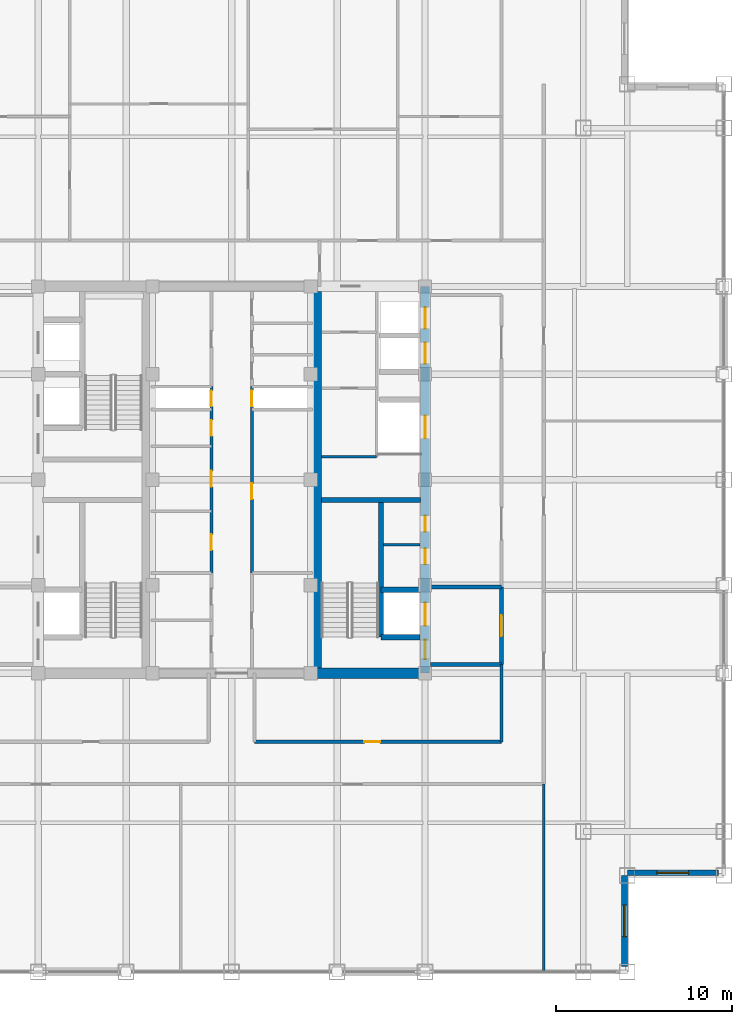
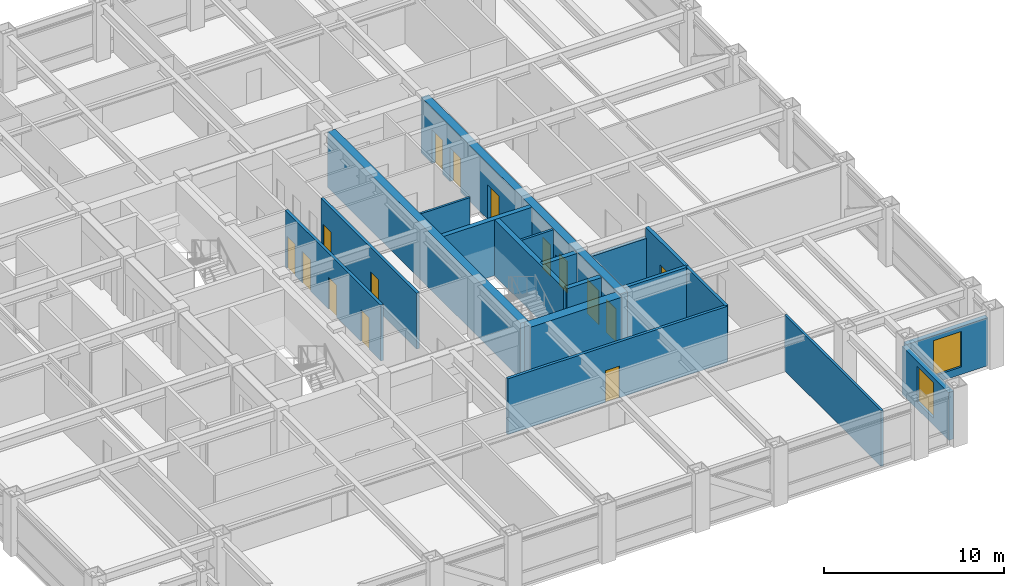
# One storey, part 19 of 22: 19 walls, 15 doors, 2 windows, 17 openings.
"""IFC4 building model written with IfcOpenShell, lengths in metres."""

from ifc_helpers import new_model, si_unit, direction, frame, frame_2d, origin, place, context, subcontext, project, spatial, rectangle, extrude, source, transform, mapped, material, layer, layer_set, type_object, element, fill, save


model = new_model("IFC4")

# Units and contexts
model_context = context("Model", 3, precision=1e-05, world=origin(), true_north=direction((0.0, 1.0)))
body_context = subcontext(model_context, "Body", "Model", "MODEL_VIEW")
ifc_project = project(units=[si_unit("LENGTHUNIT", "METRE"), si_unit("AREAUNIT", "SQUARE_METRE"), si_unit("VOLUMEUNIT", "CUBIC_METRE"), si_unit("PLANEANGLEUNIT", "RADIAN"), si_unit("MASSUNIT", "GRAM", prefix="KILO")], contexts=[model_context])

# Site, building, storey
site_placement = place(None, origin())
site = spatial("IfcSite", under=ifc_project, at=site_placement, CompositionType="ELEMENT")
building_placement = place(site_placement, origin())
building = spatial("IfcBuilding", under=site, at=building_placement, Name="Khorayat Bourse Tower", CompositionType="ELEMENT")
storey_placement = place(building_placement, frame((0.0, 0.0, 301.5)))
storey = spatial("IfcBuildingStorey", under=building, at=storey_placement, Name="L71", CompositionType="ELEMENT", Elevation=301.5)

# Wall, openings, doors
ifc_material_1 = material(Name="Concrete C52/65", Category="concrete")
ifc_layer_1 = layer(ifc_material_1, 0.5)
ifc_layer_set_1 = layer_set([ifc_layer_1], Name="Concrete C52/65")
wall_type_1 = type_object("IfcWallType", Name="WAL-CORE-500", PredefinedType="SHEAR", material=ifc_layer_set_1)
shared_shape_1 = source(origin(), body_context, "Body", "SweptSolid", [
    extrude(rectangle(XDim=22.0, YDim=0.5, at=frame_2d((11.0, 0.0))), origin(), (0.0, 0.0, 1.0), 3.780029296875),
])
wall_1_placement = place(storey_placement, frame((11.0, -11.0, 0.0), z_axis=(0.0, 0.0, 1.0), x_axis=(0.0, 1.0, 0.0)))
wall_1 = element("IfcWall", 1, at=wall_1_placement, inside=storey, type_object=wall_type_1, Name="L71 Core Shear Wall CORE-E", PredefinedType="SHEAR", context=body_context, shape_type="MappedRepresentation", body=[
    mapped(shared_shape_1, transform((0.0, 0.0, 0.0), scale=1.0)),
])
shared_shape_2 = source(origin(), body_context, "Body", "SweptSolid", [
    extrude(rectangle(XDim=1.10009765625, YDim=2.199951171875, at=frame_2d((0.550048828125, 1.10009765625))), frame((0.0, 0.260009765625, 0.0), z_axis=(0.0, -1.0, 0.0), x_axis=(1.0, 0.0, 0.0)), (0.0, 0.0, 1.0), 0.52001953125),
])
opening_1_placement = place(wall_1_placement, frame((0.800048828125, 0.0, 0.0)))
opening_1 = element("IfcOpeningElement", 2, at=opening_1_placement, cuts=wall_1, Name="Opening DI-01", PredefinedType="OPENING", context=body_context, shape_type="MappedRepresentation", body=[
    mapped(shared_shape_2, transform((0.0, 0.0, 0.0), scale=1.0)),
])
shared_shape_3 = source(origin(), body_context, "Body", "SweptSolid", [
    extrude(rectangle(XDim=0.89990234375, YDim=2.14990234375, at=frame_2d((0.449951171875, 1.074951171875))), frame((0.0, 0.260009765625, 0.0), z_axis=(0.0, -1.0, 0.0), x_axis=(1.0, 0.0, 0.0)), (0.0, 0.0, 1.0), 0.52001953125),
])
opening_2_placement = place(wall_1_placement, frame((6.199951171875, 0.0, 0.0)))
opening_2 = element("IfcOpeningElement", 3, at=opening_2_placement, cuts=wall_1, Name="Opening DI-06", PredefinedType="OPENING", context=body_context, shape_type="MappedRepresentation", body=[
    mapped(shared_shape_3, transform((0.0, 0.0, 0.0), scale=1.0)),
])
opening_3_placement = place(wall_1_placement, frame((8.050048828125, 0.0, 0.0)))
opening_3 = element("IfcOpeningElement", 4, at=opening_3_placement, cuts=wall_1, Name="Opening DI-06", PredefinedType="OPENING", context=body_context, shape_type="MappedRepresentation", body=[
    mapped(shared_shape_3, transform((0.0, 0.0, 0.0), scale=1.0)),
])
shared_shape_4 = source(origin(), body_context, "Body", "SweptSolid", [
    extrude(rectangle(XDim=1.199951171875, YDim=2.300048828125, at=frame_2d((0.60009765625, 1.14990234375))), frame((0.0, 0.260009765625, 0.0), z_axis=(0.0, -1.0, 0.0), x_axis=(1.0, 0.0, 0.0)), (0.0, 0.0, 1.0), 0.52001953125),
])
opening_4_placement = place(wall_1_placement, frame((17.60009765625, 0.0, 0.0)))
opening_4 = element("IfcOpeningElement", 5, at=opening_4_placement, cuts=wall_1, Name="Opening LD-01", PredefinedType="OPENING", context=body_context, shape_type="MappedRepresentation", body=[
    mapped(shared_shape_4, transform((0.0, 0.0, 0.0), scale=1.0)),
])
opening_5_placement = place(wall_1_placement, frame((19.60009765625, 0.0, 0.0)))
opening_5 = element("IfcOpeningElement", 6, at=opening_5_placement, cuts=wall_1, Name="Opening LD-01", PredefinedType="OPENING", context=body_context, shape_type="MappedRepresentation", body=[
    mapped(shared_shape_4, transform((0.0, 0.0, 0.0), scale=1.0)),
])
shared_shape_5 = source(origin(), body_context, "Body", "SweptSolid", [
    extrude(rectangle(XDim=1.300048828125, YDim=2.300048828125, at=frame_2d((0.64990234375, 1.14990234375))), frame((0.0, 0.260009765625, 0.0), z_axis=(0.0, -1.0, 0.0), x_axis=(1.0, 0.0, 0.0)), (0.0, 0.0, 1.0), 0.52001953125),
])
opening_6_placement = place(wall_1_placement, frame((2.699951171875, 0.0, 0.0)))
opening_6 = element("IfcOpeningElement", 7, at=opening_6_placement, cuts=wall_1, Name="Opening LD-02", PredefinedType="OPENING", context=body_context, shape_type="MappedRepresentation", body=[
    mapped(shared_shape_5, transform((0.0, 0.0, 0.0), scale=1.0)),
])
opening_7_placement = place(wall_1_placement, frame((13.35009765625, 0.0, 0.0)))
opening_7 = element("IfcOpeningElement", 8, at=opening_7_placement, cuts=wall_1, Name="Opening LD-02", PredefinedType="OPENING", context=body_context, shape_type="MappedRepresentation", body=[
    mapped(shared_shape_5, transform((0.0, 0.0, 0.0), scale=1.0)),
])
ifc_material_2 = material(Name="Fire-rated steel acoustic leaf", Category="steel")
door_type_1 = type_object("IfcDoorType", Name="DR-INT-STAIR-1100", OperationType="NOTDEFINED", PredefinedType="DOOR", material=ifc_material_2)
shared_shape_6 = source(origin(), body_context, "Body", "SweptSolid", [
    extrude(rectangle(XDim=1.10009765625, YDim=2.199951171875, at=frame_2d((0.550048828125, 1.10009765625))), frame((0.0, 0.02490234375, 0.0), z_axis=(0.0, -1.0, 0.0), x_axis=(1.0, 0.0, 0.0)), (0.0, 0.0, 1.0), 0.050048828125),
])
door_1_placement = place(opening_1_placement, origin())
door_1 = element("IfcDoor", 9, at=door_1_placement, inside=storey, type_object=door_type_1, Name="L71 Exit Stair 3 Door", OperationType="SINGLE_SWING_LEFT", OverallHeight=2.199951171875, OverallWidth=1.10009765625, PredefinedType="DOOR", context=body_context, shape_type="MappedRepresentation", body=[
    mapped(shared_shape_6, transform((0.0, 0.0, 0.0), scale=1.0)),
])
fill(opening_1, door_1)
ifc_material_3 = material(Name="Moisture-resistant laminate washroom door")
door_type_2 = type_object("IfcDoorType", Name="DR-INT-WC-900", OperationType="NOTDEFINED", PredefinedType="DOOR", material=ifc_material_3)
shared_shape_7 = source(origin(), body_context, "Body", "SweptSolid", [
    extrude(rectangle(XDim=0.89990234375, YDim=2.14990234375, at=frame_2d((0.449951171875, 1.074951171875))), frame((0.0, 0.02490234375, 0.0), z_axis=(0.0, -1.0, 0.0), x_axis=(1.0, 0.0, 0.0)), (0.0, 0.0, 1.0), 0.050048828125),
])
door_2_placement = place(opening_2_placement, origin())
door_2 = element("IfcDoor", 10, at=door_2_placement, inside=storey, type_object=door_type_2, Name="L71 Comms Closet Door", OperationType="SINGLE_SWING_LEFT", OverallHeight=2.14990234375, OverallWidth=0.89990234375, PredefinedType="DOOR", context=body_context, shape_type="MappedRepresentation", body=[
    mapped(shared_shape_7, transform((0.0, 0.0, 0.0), scale=1.0)),
])
fill(opening_2, door_2)
door_3_placement = place(opening_3_placement, origin())
door_3 = element("IfcDoor", 11, at=door_3_placement, inside=storey, type_object=door_type_2, Name="L71 Cleaner Store Door", OperationType="SINGLE_SWING_RIGHT", OverallHeight=2.14990234375, OverallWidth=0.89990234375, PredefinedType="DOOR", context=body_context, shape_type="MappedRepresentation", body=[
    mapped(shared_shape_7, transform((0.0, 0.0, 0.0), scale=1.0)),
])
fill(opening_3, door_3)
ifc_material_4 = material(Name="Brushed bronze stainless-steel sliding door", Category="steel")
door_type_3 = type_object("IfcDoorType", Name="DR-LIFT-PASS-1200", OperationType="NOTDEFINED", PredefinedType="DOOR", material=ifc_material_4)
shared_shape_8 = source(origin(), body_context, "Body", "SweptSolid", [
    extrude(rectangle(XDim=1.199951171875, YDim=2.300048828125, at=frame_2d((0.60009765625, 1.14990234375))), frame((0.0, 0.02490234375, 0.0), z_axis=(0.0, -1.0, 0.0), x_axis=(1.0, 0.0, 0.0)), (0.0, 0.0, 1.0), 0.050048828125),
])
door_4_placement = place(opening_4_placement, origin())
door_4 = element("IfcDoor", 12, at=door_4_placement, inside=storey, type_object=door_type_3, Name="L71 Lift PL-H3 Sliding Landing Door", OperationType="SLIDING_TO_LEFT", OverallHeight=2.300048828125, OverallWidth=1.199951171875, PredefinedType="DOOR", context=body_context, shape_type="MappedRepresentation", body=[
    mapped(shared_shape_8, transform((0.0, 0.0, 0.0), scale=1.0)),
])
fill(opening_4, door_4)
door_5_placement = place(opening_5_placement, origin())
door_5 = element("IfcDoor", 13, at=door_5_placement, inside=storey, type_object=door_type_3, Name="L71 Lift PL-H4 Sliding Landing Door", OperationType="SLIDING_TO_LEFT", OverallHeight=2.300048828125, OverallWidth=1.199951171875, PredefinedType="DOOR", context=body_context, shape_type="MappedRepresentation", body=[
    mapped(shared_shape_8, transform((0.0, 0.0, 0.0), scale=1.0)),
])
fill(opening_5, door_5)
ifc_material_5 = material(Name="Fire-rated stainless-steel sliding landing door", Category="steel")
door_type_4 = type_object("IfcDoorType", Name="DR-LIFT-FF-1300", OperationType="NOTDEFINED", PredefinedType="DOOR", material=ifc_material_5)
shared_shape_9 = source(origin(), body_context, "Body", "SweptSolid", [
    extrude(rectangle(XDim=1.300048828125, YDim=2.300048828125, at=frame_2d((0.64990234375, 1.14990234375))), frame((0.0, 0.02490234375, 0.0), z_axis=(0.0, -1.0, 0.0), x_axis=(1.0, 0.0, 0.0)), (0.0, 0.0, 1.0), 0.050048828125),
])
door_6_placement = place(opening_6_placement, origin())
door_6 = element("IfcDoor", 14, at=door_6_placement, inside=storey, type_object=door_type_4, Name="L71 Lift FFL-02 Sliding Landing Door", OperationType="SLIDING_TO_LEFT", OverallHeight=2.300048828125, OverallWidth=1.300048828125, PredefinedType="DOOR", context=body_context, shape_type="MappedRepresentation", body=[
    mapped(shared_shape_9, transform((0.0, 0.0, 0.0), scale=1.0)),
])
fill(opening_6, door_6)
door_7_placement = place(opening_7_placement, origin())
door_7 = element("IfcDoor", 15, at=door_7_placement, inside=storey, type_object=door_type_4, Name="L71 Lift SVL-01 Sliding Landing Door", OperationType="SLIDING_TO_LEFT", OverallHeight=2.300048828125, OverallWidth=1.300048828125, PredefinedType="DOOR", context=body_context, shape_type="MappedRepresentation", body=[
    mapped(shared_shape_9, transform((0.0, 0.0, 0.0), scale=1.0)),
])
fill(opening_7, door_7)

# Walls
shared_shape_10 = source(origin(), body_context, "Body", "SweptSolid", [
    extrude(rectangle(XDim=21.39990234375, YDim=0.5, at=frame_2d((10.699951171875, 0.0))), origin(), (0.0, 0.0, 1.0), 3.780029296875),
])
wall_2_placement = place(storey_placement, frame((4.85009765625, -10.699951171875, 0.0), z_axis=(0.0, 0.0, 1.0), x_axis=(0.0, 1.0, 0.0)))
element("IfcWall", 16, at=wall_2_placement, inside=storey, type_object=wall_type_1, Name="L71 Core Shear Wall PIER-E", PredefinedType="SHEAR", context=body_context, shape_type="MappedRepresentation", body=[
    mapped(shared_shape_10, transform((0.0, 0.0, 0.0), scale=1.0)),
])
ifc_material_6 = material(Name="Concrete C60/75", Category="concrete")
ifc_layer_2 = layer(ifc_material_6, 0.60009765625)
ifc_layer_set_2 = layer_set([ifc_layer_2], Name="Concrete C60/75")
wall_type_2 = type_object("IfcWallType", Name="WAL-CORE-600", PredefinedType="SHEAR", material=ifc_layer_set_2)
shared_shape_11 = source(origin(), body_context, "Body", "SweptSolid", [
    extrude(rectangle(XDim=5.89990234375, YDim=0.60009765625, at=frame_2d((2.949951171875, 0.0))), origin(), (0.0, 0.0, 1.0), 3.780029296875),
])
wall_3_placement = place(storey_placement, frame((4.85009765625, -11.0, 0.0), z_axis=(0.0, 0.0, 1.0), x_axis=(1.0, 0.0, 0.0)))
element("IfcWall", 17, at=wall_3_placement, inside=storey, type_object=wall_type_2, Name="L71 Core Shear Wall PIER-ES", PredefinedType="SHEAR", context=body_context, shape_type="MappedRepresentation", body=[
    mapped(shared_shape_11, transform((0.0, 0.0, 0.0), scale=1.0)),
])
ifc_material_7 = material(Name="Concrete C50/60", Category="concrete")
ifc_layer_3 = layer(ifc_material_7, 0.300048828125)
ifc_layer_set_3 = layer_set([ifc_layer_3], Name="Concrete C50/60")
wall_type_3 = type_object("IfcWallType", Name="WAL-SHAFT-300", PredefinedType="SHEAR", material=ifc_layer_set_3)
shared_shape_12 = source(origin(), body_context, "Body", "SweptSolid", [
    extrude(rectangle(XDim=5.64990234375, YDim=0.300048828125, at=frame_2d((2.824951171875, 0.0))), origin(), (0.0, 0.0, 1.0), 3.780029296875),
])
wall_4_placement = place(storey_placement, frame((5.10009765625, -1.14990234375, 0.0), z_axis=(0.0, 0.0, 1.0), x_axis=(1.0, 0.0, 0.0)))
element("IfcWall", 18, at=wall_4_placement, inside=storey, type_object=wall_type_3, Name="L71 Core Shear Wall ST3-DIV", PredefinedType="SHEAR", context=body_context, shape_type="MappedRepresentation", body=[
    mapped(shared_shape_12, transform((0.0, 0.0, 0.0), scale=1.0)),
])

# Wall, opening, window
ifc_material_8 = material(Name="Precast concrete C45/55", Category="concrete")
ifc_layer_4 = layer(ifc_material_8, 0.320068359375)
ifc_layer_set_4 = layer_set([ifc_layer_4], Name="Precast concrete C45/55")
wall_type_4 = type_object("IfcWallType", Name="WAL-EXT-STONE-320", PredefinedType="STANDARD", material=ifc_layer_set_4)
shared_shape_13 = source(origin(), body_context, "Body", "SweptSolid", [
    extrude(rectangle(XDim=5.179931640625, YDim=0.320068359375, at=frame_2d((2.58984375, 0.0))), origin(), (0.0, 0.0, 1.0), 3.23095703125),
])
wall_5_placement = place(storey_placement, frame((22.340087890625, -27.679931640625, 0.0), z_axis=(0.0, 0.0, 1.0), x_axis=(0.0, 1.0, 0.0)))
wall_5 = element("IfcWall", 19, at=wall_5_placement, inside=storey, type_object=wall_type_4, Name="L71 Re-Entrant Notch Limestone Wall SE-V", PredefinedType="STANDARD", context=body_context, shape_type="MappedRepresentation", body=[
    mapped(shared_shape_13, transform((0.0, 0.0, 0.0), scale=1.0)),
])
shared_shape_14 = source(origin(), body_context, "Body", "SweptSolid", [
    extrude(rectangle(XDim=1.800048828125, YDim=2.39990234375, at=frame_2d((0.89990234375, 1.199951171875))), frame((0.0, 0.169921875, 0.0), z_axis=(0.0, -1.0, 0.0), x_axis=(1.0, 0.0, 0.0)), (0.0, 0.0, 1.0), 0.340087890625),
])
opening_8_placement = place(wall_5_placement, frame((1.68994140625, 0.0, 0.5)))
opening_8 = element("IfcOpeningElement", 20, at=opening_8_placement, cuts=wall_5, Name="Opening WN-04", PredefinedType="OPENING", context=body_context, shape_type="MappedRepresentation", body=[
    mapped(shared_shape_14, transform((0.0, 0.0, 0.0), scale=1.0)),
])
ifc_material_9 = material(Name="Low-E acoustic laminated double glazing", Category="glass")
window_type = type_object("IfcWindowType", Name="WIN-NOTCH-1800x2400", PartitioningType="SINGLE_PANEL", PredefinedType="WINDOW", material=ifc_material_9)
shared_shape_15 = source(origin(), body_context, "Body", "SweptSolid", [
    extrude(rectangle(XDim=1.800048828125, YDim=2.39990234375, at=frame_2d((0.89990234375, 1.199951171875))), frame((0.0, 0.030029296875, 0.0), z_axis=(0.0, -1.0, 0.0), x_axis=(1.0, 0.0, 0.0)), (0.0, 0.0, 1.0), 0.06005859375),
])
window_1_placement = place(opening_8_placement, origin())
window_1 = element("IfcWindow", 21, at=window_1_placement, inside=storey, type_object=window_type, Name="L71 Facade Window 1", OverallHeight=2.39990234375, OverallWidth=1.800048828125, PartitioningType="SINGLE_PANEL", PredefinedType="WINDOW", context=body_context, shape_type="MappedRepresentation", body=[
    mapped(shared_shape_15, transform((0.0, 0.0, 0.0), scale=1.0)),
])
fill(opening_8, window_1)

wall_6_placement = place(storey_placement, frame((22.5, -22.340087890625, 0.0), z_axis=(0.0, 0.0, 1.0), x_axis=(1.0, 0.0, 0.0)))
wall_6 = element("IfcWall", 22, at=wall_6_placement, inside=storey, type_object=wall_type_4, Name="L71 Re-Entrant Notch Limestone Wall SE-H", PredefinedType="STANDARD", context=body_context, shape_type="MappedRepresentation", body=[
    mapped(shared_shape_13, transform((0.0, 0.0, 0.0), scale=1.0)),
])
opening_9_placement = place(wall_6_placement, frame((1.68994140625, 0.0, 0.5)))
opening_9 = element("IfcOpeningElement", 23, at=opening_9_placement, cuts=wall_6, Name="Opening WN-04", PredefinedType="OPENING", context=body_context, shape_type="MappedRepresentation", body=[
    mapped(shared_shape_14, transform((0.0, 0.0, 0.0), scale=1.0)),
])
window_2_placement = place(opening_9_placement, origin())
window_2 = element("IfcWindow", 24, at=window_2_placement, inside=storey, type_object=window_type, Name="L71 Facade Window 1", OverallHeight=2.39990234375, OverallWidth=1.800048828125, PartitioningType="SINGLE_PANEL", PredefinedType="WINDOW", context=body_context, shape_type="MappedRepresentation", body=[
    mapped(shared_shape_15, transform((0.0, 0.0, 0.0), scale=1.0)),
])
fill(opening_9, window_2)

# Walls
ifc_material_10 = material(Name="Aerated concrete blockwork", Category="masonry")
ifc_layer_5 = layer(ifc_material_10, 0.219970703125)
ifc_layer_set_5 = layer_set([ifc_layer_5], Name="Aerated concrete blockwork")
wall_type_5 = type_object("IfcWallType", Name="WAL-PART-FF-220", PredefinedType="PARTITIONING", material=ifc_layer_set_5)
shared_shape_16 = source(origin(), body_context, "Body", "SweptSolid", [
    extrude(rectangle(XDim=4.050048828125, YDim=0.219970703125, at=frame_2d((2.02490234375, 0.0))), origin(), (0.0, 0.0, 1.0), 3.0849609375),
])
wall_7_placement = place(storey_placement, frame((11.300048828125, -6.10009765625, 0.0), z_axis=(0.0, 0.0, 1.0), x_axis=(1.0, 0.0, 0.0)))
element("IfcWall", 25, at=wall_7_placement, inside=storey, type_object=wall_type_5, Name="L71 Partition WAL-L71-FFLE-N", PredefinedType="PARTITIONING", context=body_context, shape_type="MappedRepresentation", body=[
    mapped(shared_shape_16, transform((0.0, 0.0, 0.0), scale=1.0)),
])
shared_shape_17 = source(origin(), body_context, "Body", "SweptSolid", [
    extrude(rectangle(XDim=7.800048828125, YDim=0.300048828125, at=frame_2d((3.89990234375, 0.0))), origin(), (0.0, 0.0, 1.0), 3.780029296875),
])
wall_8_placement = place(storey_placement, frame((8.5, -8.949951171875, 0.0), z_axis=(0.0, 0.0, 1.0), x_axis=(0.0, 1.0, 0.0)))
element("IfcWall", 26, at=wall_8_placement, inside=storey, type_object=wall_type_3, Name="L71 Partition WAL-L71-EPIER-SP", PredefinedType="SHEAR", context=body_context, shape_type="MappedRepresentation", body=[
    mapped(shared_shape_17, transform((0.0, 0.0, 0.0), scale=1.0)),
])
shared_shape_18 = source(origin(), body_context, "Body", "SweptSolid", [
    extrude(rectangle(XDim=2.199951171875, YDim=0.300048828125, at=frame_2d((1.10009765625, 0.0))), origin(), (0.0, 0.0, 1.0), 3.780029296875),
])
for number, where, z_axis, x_axis, name in (
    (27, (8.5, -8.949951171875, 0.0), (0.0, 0.0, 1.0), (1.0, 0.0, 0.0), "L71 Partition WAL-L71-EPIER-FF2S"),
    (28, (8.5, -6.25, 0.0), (0.0, 0.0, 1.0), (1.0, 0.0, 0.0), "L71 Partition WAL-L71-EPIER-FF2N"),
):
    element("IfcWall", number, at=place(storey_placement, frame(where, z_axis=z_axis, x_axis=x_axis)), inside=storey, type_object=wall_type_3, Name=name, PredefinedType="SHEAR", context=body_context, shape_type="MappedRepresentation", body=[
        mapped(shared_shape_18, transform((0.0, 0.0, 0.0), scale=1.0)),
    ])
ifc_material_11 = material(Name="Gypsum plasterboard twin-frame partition")
ifc_layer_6 = layer(ifc_material_11, 0.14990234375)
ifc_layer_set_6 = layer_set([ifc_layer_6], Name="Gypsum plasterboard twin-frame partition")
wall_type_6 = type_object("IfcWallType", Name="WAL-PART-SUITE-150", PredefinedType="PARTITIONING", material=ifc_layer_set_6)
shared_shape_19 = source(origin(), body_context, "Body", "SweptSolid", [
    extrude(rectangle(XDim=2.050048828125, YDim=0.14990234375, at=frame_2d((1.02490234375, 0.0))), origin(), (0.0, 0.0, 1.0), 3.780029296875),
])
wall_9_placement = place(storey_placement, frame((8.64990234375, -3.699951171875, 0.0), z_axis=(0.0, 0.0, 1.0), x_axis=(1.0, 0.0, 0.0)))
element("IfcWall", 29, at=wall_9_placement, inside=storey, type_object=wall_type_6, Name="L71 Partition WAL-L71-ESRV-D1", PredefinedType="PARTITIONING", context=body_context, shape_type="MappedRepresentation", body=[
    mapped(shared_shape_19, transform((0.0, 0.0, 0.0), scale=1.0)),
])
ifc_material_12 = material(Name="Moisture-resistant masonry partition", Category="masonry")
ifc_layer_7 = layer(ifc_material_12, 0.139892578125)
ifc_layer_set_7 = layer_set([ifc_layer_7], Name="Moisture-resistant masonry partition")
wall_type_7 = type_object("IfcWallType", Name="WAL-PART-WET-140", PredefinedType="PARTITIONING", material=ifc_layer_set_7)
shared_shape_20 = source(origin(), body_context, "Body", "SweptSolid", [
    extrude(rectangle(XDim=3.14990234375, YDim=0.139892578125, at=frame_2d((1.574951171875, 0.0))), origin(), (0.0, 0.0, 1.0), 3.780029296875),
])
wall_10_placement = place(storey_placement, frame((5.10009765625, 1.300048828125, 0.0), z_axis=(0.0, 0.0, 1.0), x_axis=(1.0, 0.0, 0.0)))
element("IfcWall", 30, at=wall_10_placement, inside=storey, type_object=wall_type_7, Name="L71 Partition WAL-L71-ECORE-S", PredefinedType="PARTITIONING", context=body_context, shape_type="MappedRepresentation", body=[
    mapped(shared_shape_20, transform((0.0, 0.0, 0.0), scale=1.0)),
])
shared_shape_21 = source(origin(), body_context, "Body", "SweptSolid", [
    extrude(rectangle(XDim=4.050048828125, YDim=0.219970703125, at=frame_2d((2.02490234375, 0.0))), origin(), (0.0, 0.0, 1.0), 3.780029296875),
])
wall_11_placement = place(storey_placement, frame((11.300048828125, -10.5, 0.0), z_axis=(0.0, 0.0, 1.0), x_axis=(1.0, 0.0, 0.0)))
element("IfcWall", 31, at=wall_11_placement, inside=storey, type_object=wall_type_5, Name="L71 Partition WAL-L71-FFLE-S", PredefinedType="PARTITIONING", context=body_context, shape_type="MappedRepresentation", body=[
    mapped(shared_shape_21, transform((0.0, 0.0, 0.0), scale=1.0)),
])

# Wall, opening, door
shared_shape_22 = source(origin(), body_context, "Body", "SweptSolid", [
    extrude(rectangle(XDim=4.39990234375, YDim=0.219970703125, at=frame_2d((2.199951171875, 0.0))), origin(), (0.0, 0.0, 1.0), 3.780029296875),
])
wall_12_placement = place(storey_placement, frame((15.35009765625, -10.5, 0.0), z_axis=(0.0, 0.0, 1.0), x_axis=(0.0, 1.0, 0.0)))
wall_12 = element("IfcWall", 32, at=wall_12_placement, inside=storey, type_object=wall_type_5, Name="L71 Partition WAL-L71-FFLE-E", PredefinedType="PARTITIONING", context=body_context, shape_type="MappedRepresentation", body=[
    mapped(shared_shape_22, transform((0.0, 0.0, 0.0), scale=1.0)),
])
shared_shape_23 = source(origin(), body_context, "Body", "SweptSolid", [
    extrude(rectangle(XDim=1.199951171875, YDim=2.199951171875, at=frame_2d((0.60009765625, 1.10009765625))), frame((0.0, 0.119873046875, 0.0), z_axis=(0.0, -1.0, 0.0), x_axis=(1.0, 0.0, 0.0)), (0.0, 0.0, 1.0), 0.239990234375),
])
opening_10_placement = place(wall_12_placement, frame((1.60009765625, 0.0, 0.0)))
opening_10 = element("IfcOpeningElement", 33, at=opening_10_placement, cuts=wall_12, Name="Opening DI-02", PredefinedType="OPENING", context=body_context, shape_type="MappedRepresentation", body=[
    mapped(shared_shape_23, transform((0.0, 0.0, 0.0), scale=1.0)),
])
ifc_material_13 = material(Name="Fire-rated steel double-seal leaf", Category="steel")
door_type_5 = type_object("IfcDoorType", Name="DR-INT-FFLOBBY-1200", OperationType="NOTDEFINED", PredefinedType="DOOR", material=ifc_material_13)
shared_shape_24 = source(origin(), body_context, "Body", "SweptSolid", [
    extrude(rectangle(XDim=1.199951171875, YDim=2.199951171875, at=frame_2d((0.60009765625, 1.10009765625))), frame((0.0, 0.02490234375, 0.0), z_axis=(0.0, -1.0, 0.0), x_axis=(1.0, 0.0, 0.0)), (0.0, 0.0, 1.0), 0.050048828125),
])
door_8_placement = place(opening_10_placement, origin())
door_8 = element("IfcDoor", 34, at=door_8_placement, inside=storey, type_object=door_type_5, Name="L71 East Firefighting Lobby Door", OperationType="SINGLE_SWING_RIGHT", OverallHeight=2.199951171875, OverallWidth=1.199951171875, PredefinedType="DOOR", context=body_context, shape_type="MappedRepresentation", body=[
    mapped(shared_shape_24, transform((0.0, 0.0, 0.0), scale=1.0)),
])
fill(opening_10, door_8)

# Wall, openings, doors
ifc_material_14 = material(Name="Gypsum plasterboard acoustic stud wall")
ifc_layer_8 = layer(ifc_material_14, 0.179931640625)
ifc_layer_set_8 = layer_set([ifc_layer_8], Name="Gypsum plasterboard acoustic stud wall")
wall_type_8 = type_object("IfcWallType", Name="WAL-PART-CORR-180", PredefinedType="PARTITIONING", material=ifc_layer_set_8)
shared_shape_25 = source(origin(), body_context, "Body", "SweptSolid", [
    extrude(rectangle(XDim=10.60009765625, YDim=0.179931640625, at=frame_2d((5.300048828125, 0.0))), origin(), (0.0, 0.0, 1.0), 3.780029296875),
])
wall_13_placement = place(storey_placement, frame((-1.14990234375, -5.300048828125, 0.0), z_axis=(0.0, 0.0, 1.0), x_axis=(0.0, 1.0, 0.0)))
wall_13 = element("IfcWall", 35, at=wall_13_placement, inside=storey, type_object=wall_type_8, Name="L71 Partition WAL-L71-CMW-L", PredefinedType="PARTITIONING", context=body_context, shape_type="MappedRepresentation", body=[
    mapped(shared_shape_25, transform((0.0, 0.0, 0.0), scale=1.0)),
])
shared_shape_26 = source(origin(), body_context, "Body", "SweptSolid", [
    extrude(rectangle(XDim=0.89990234375, YDim=2.14990234375, at=frame_2d((0.449951171875, 1.074951171875))), frame((0.0, 0.099853515625, 0.0), z_axis=(0.0, -1.0, 0.0), x_axis=(1.0, 0.0, 0.0)), (0.0, 0.0, 1.0), 0.199951171875),
])
opening_11_placement = place(wall_13_placement, frame((1.300048828125, 0.0, 0.0)))
opening_11 = element("IfcOpeningElement", 36, at=opening_11_placement, cuts=wall_13, Name="Opening DI-06", PredefinedType="OPENING", context=body_context, shape_type="MappedRepresentation", body=[
    mapped(shared_shape_26, transform((0.0, 0.0, 0.0), scale=1.0)),
])
opening_12_placement = place(wall_13_placement, frame((4.89990234375, 0.0, 0.0)))
opening_12 = element("IfcOpeningElement", 37, at=opening_12_placement, cuts=wall_13, Name="Opening DI-06", PredefinedType="OPENING", context=body_context, shape_type="MappedRepresentation", body=[
    mapped(shared_shape_26, transform((0.0, 0.0, 0.0), scale=1.0)),
])
opening_13_placement = place(wall_13_placement, frame((7.800048828125, 0.0, 0.0)))
opening_13 = element("IfcOpeningElement", 38, at=opening_13_placement, cuts=wall_13, Name="Opening DI-06", PredefinedType="OPENING", context=body_context, shape_type="MappedRepresentation", body=[
    mapped(shared_shape_26, transform((0.0, 0.0, 0.0), scale=1.0)),
])
opening_14_placement = place(wall_13_placement, frame((9.47509765625, 0.0, 0.0)))
opening_14 = element("IfcOpeningElement", 39, at=opening_14_placement, cuts=wall_13, Name="Opening DI-06", PredefinedType="OPENING", context=body_context, shape_type="MappedRepresentation", body=[
    mapped(shared_shape_26, transform((0.0, 0.0, 0.0), scale=1.0)),
])
door_9_placement = place(opening_11_placement, origin())
door_9 = element("IfcDoor", 40, at=door_9_placement, inside=storey, type_object=door_type_2, Name="L71 Male Core Washroom Door", OperationType="SINGLE_SWING_RIGHT", OverallHeight=2.14990234375, OverallWidth=0.89990234375, PredefinedType="DOOR", context=body_context, shape_type="MappedRepresentation", body=[
    mapped(shared_shape_7, transform((0.0, 0.0, 0.0), scale=1.0)),
])
fill(opening_11, door_9)
door_10_placement = place(opening_12_placement, origin())
door_10 = element("IfcDoor", 41, at=door_10_placement, inside=storey, type_object=door_type_2, Name="L71 AHU Fan Plant Room Door", OperationType="SINGLE_SWING_LEFT", OverallHeight=2.14990234375, OverallWidth=0.89990234375, PredefinedType="DOOR", context=body_context, shape_type="MappedRepresentation", body=[
    mapped(shared_shape_7, transform((0.0, 0.0, 0.0), scale=1.0)),
])
fill(opening_12, door_10)
door_11_placement = place(opening_13_placement, origin())
door_11 = element("IfcDoor", 42, at=door_11_placement, inside=storey, type_object=door_type_2, Name="L71 Janitor Store Door", OperationType="SINGLE_SWING_RIGHT", OverallHeight=2.14990234375, OverallWidth=0.89990234375, PredefinedType="DOOR", context=body_context, shape_type="MappedRepresentation", body=[
    mapped(shared_shape_7, transform((0.0, 0.0, 0.0), scale=1.0)),
])
fill(opening_13, door_11)
door_12_placement = place(opening_14_placement, origin())
door_12 = element("IfcDoor", 43, at=door_12_placement, inside=storey, type_object=door_type_2, Name="L71 West Core Riser Door", OperationType="SINGLE_SWING_LEFT", OverallHeight=2.14990234375, OverallWidth=0.89990234375, PredefinedType="DOOR", context=body_context, shape_type="MappedRepresentation", body=[
    mapped(shared_shape_7, transform((0.0, 0.0, 0.0), scale=1.0)),
])
fill(opening_14, door_12)

wall_14_placement = place(storey_placement, frame((1.14990234375, -5.300048828125, 0.0), z_axis=(0.0, 0.0, 1.0), x_axis=(0.0, 1.0, 0.0)))
wall_14 = element("IfcWall", 44, at=wall_14_placement, inside=storey, type_object=wall_type_8, Name="L71 Partition WAL-L71-CME-L", PredefinedType="PARTITIONING", context=body_context, shape_type="MappedRepresentation", body=[
    mapped(shared_shape_25, transform((0.0, 0.0, 0.0), scale=1.0)),
])
opening_15_placement = place(wall_14_placement, frame((4.199951171875, 0.0, 0.0)))
opening_15 = element("IfcOpeningElement", 45, at=opening_15_placement, cuts=wall_14, Name="Opening DI-06", PredefinedType="OPENING", context=body_context, shape_type="MappedRepresentation", body=[
    mapped(shared_shape_26, transform((0.0, 0.0, 0.0), scale=1.0)),
])
opening_16_placement = place(wall_14_placement, frame((9.47509765625, 0.0, 0.0)))
opening_16 = element("IfcOpeningElement", 46, at=opening_16_placement, cuts=wall_14, Name="Opening DI-06", PredefinedType="OPENING", context=body_context, shape_type="MappedRepresentation", body=[
    mapped(shared_shape_26, transform((0.0, 0.0, 0.0), scale=1.0)),
])
door_13_placement = place(opening_15_placement, origin())
door_13 = element("IfcDoor", 47, at=door_13_placement, inside=storey, type_object=door_type_2, Name="L71 Female Core Washroom Door", OperationType="SINGLE_SWING_RIGHT", OverallHeight=2.14990234375, OverallWidth=0.89990234375, PredefinedType="DOOR", context=body_context, shape_type="MappedRepresentation", body=[
    mapped(shared_shape_7, transform((0.0, 0.0, 0.0), scale=1.0)),
])
fill(opening_15, door_13)
door_14_placement = place(opening_16_placement, origin())
door_14 = element("IfcDoor", 48, at=door_14_placement, inside=storey, type_object=door_type_2, Name="L71 East Core Riser Door", OperationType="SINGLE_SWING_RIGHT", OverallHeight=2.14990234375, OverallWidth=0.89990234375, PredefinedType="DOOR", context=body_context, shape_type="MappedRepresentation", body=[
    mapped(shared_shape_7, transform((0.0, 0.0, 0.0), scale=1.0)),
])
fill(opening_16, door_14)

# Wall, opening, door
shared_shape_27 = source(origin(), body_context, "Body", "SweptSolid", [
    extrude(rectangle(XDim=14.050048828125, YDim=0.179931640625, at=frame_2d((7.02490234375, 0.0))), origin(), (0.0, 0.0, 1.0), 3.780029296875),
])
wall_15_placement = place(storey_placement, frame((1.300048828125, -14.89990234375, 0.0), z_axis=(0.0, 0.0, 1.0), x_axis=(1.0, 0.0, 0.0)))
wall_15 = element("IfcWall", 49, at=wall_15_placement, inside=storey, type_object=wall_type_8, Name="L71 Partition WAL-L71-PKSE-S", PredefinedType="PARTITIONING", context=body_context, shape_type="MappedRepresentation", body=[
    mapped(shared_shape_27, transform((0.0, 0.0, 0.0), scale=1.0)),
])
opening_17_placement = place(wall_15_placement, frame((6.25, 0.0, 0.0)))
opening_17 = element("IfcOpeningElement", 50, at=opening_17_placement, cuts=wall_15, Name="Opening DI-06", PredefinedType="OPENING", context=body_context, shape_type="MappedRepresentation", body=[
    mapped(shared_shape_26, transform((0.0, 0.0, 0.0), scale=1.0)),
])
door_15_placement = place(opening_17_placement, origin())
door_15 = element("IfcDoor", 51, at=door_15_placement, inside=storey, type_object=door_type_2, Name="L71 SE Inboard Study Door", OperationType="SINGLE_SWING_RIGHT", OverallHeight=2.14990234375, OverallWidth=0.89990234375, PredefinedType="DOOR", context=body_context, shape_type="MappedRepresentation", body=[
    mapped(shared_shape_7, transform((0.0, 0.0, 0.0), scale=1.0)),
])
fill(opening_17, door_15)

# Walls
shared_shape_28 = source(origin(), body_context, "Body", "SweptSolid", [
    extrude(rectangle(XDim=4.39990234375, YDim=0.179931640625, at=frame_2d((2.199951171875, 0.0))), origin(), (0.0, 0.0, 1.0), 3.780029296875),
])
wall_16_placement = place(storey_placement, frame((15.35009765625, -14.89990234375, 0.0), z_axis=(0.0, 0.0, 1.0), x_axis=(0.0, 1.0, 0.0)))
element("IfcWall", 52, at=wall_16_placement, inside=storey, type_object=wall_type_8, Name="L71 Partition WAL-L71-PKSE-E", PredefinedType="PARTITIONING", context=body_context, shape_type="MappedRepresentation", body=[
    mapped(shared_shape_28, transform((0.0, 0.0, 0.0), scale=1.0)),
])
shared_shape_29 = source(origin(), body_context, "Body", "SweptSolid", [
    extrude(rectangle(XDim=10.699951171875, YDim=0.14990234375, at=frame_2d((5.35009765625, 0.0))), origin(), (0.0, 0.0, 1.0), 3.780029296875),
])
wall_17_placement = place(storey_placement, frame((17.75, -28.0, 0.0), z_axis=(0.0, 0.0, 1.0), x_axis=(0.0, 1.0, 0.0)))
element("IfcWall", 53, at=wall_17_placement, inside=storey, type_object=wall_type_6, Name="L71 Partition WAL-L71-SCE-END", PredefinedType="PARTITIONING", context=body_context, shape_type="MappedRepresentation", body=[
    mapped(shared_shape_29, transform((0.0, 0.0, 0.0), scale=1.0)),
])

save(model, "model.ifc")
